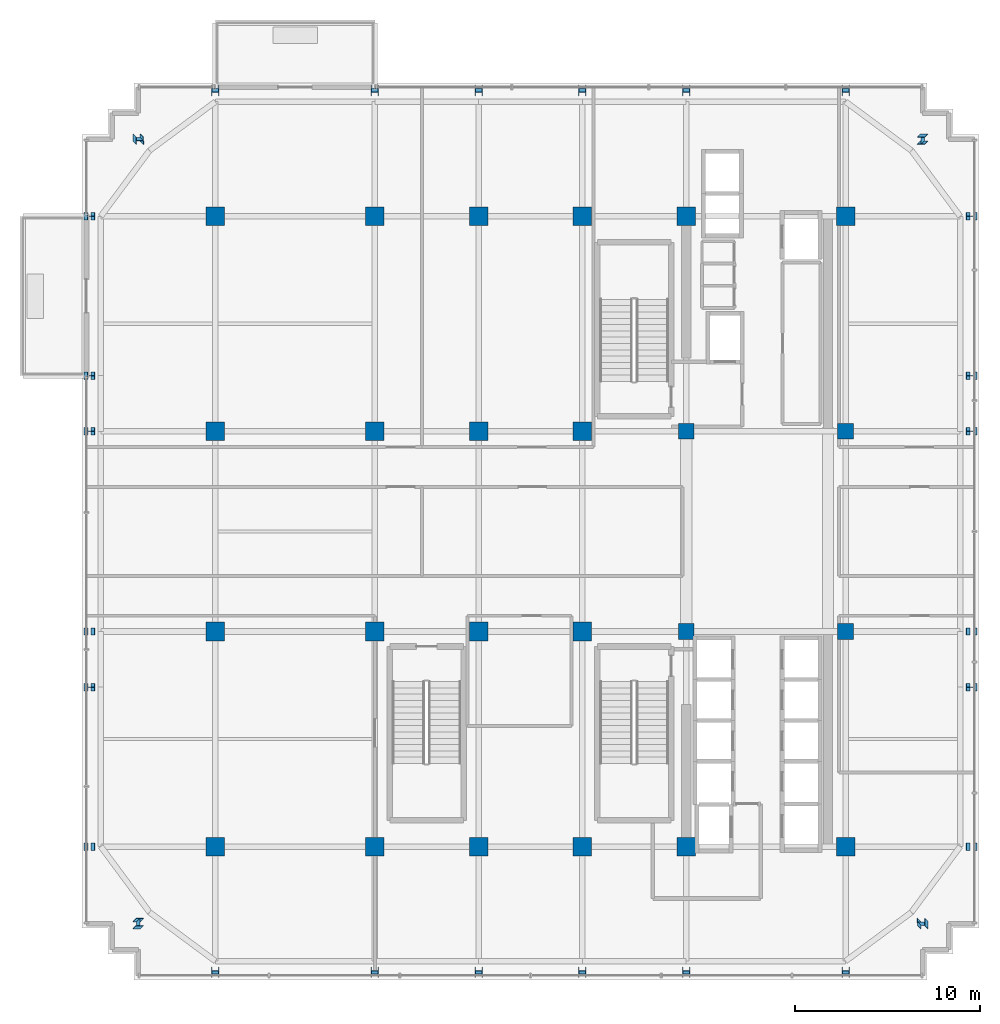
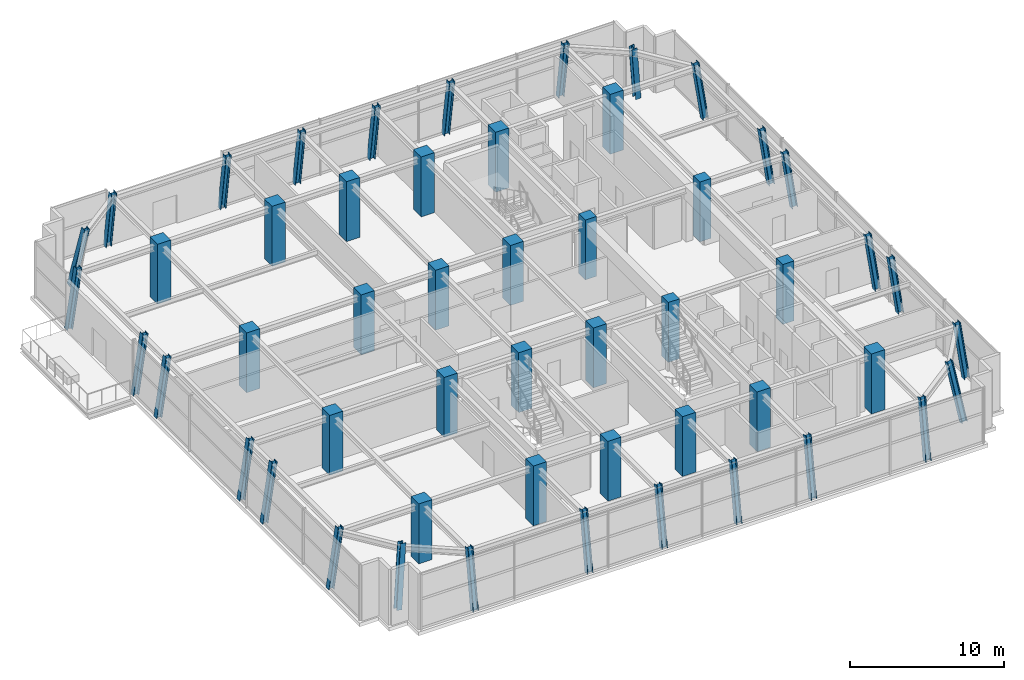
# One storey, part 1 of 28: 52 columns.
"""IFC4 building model written with IfcOpenShell, lengths in metres."""

from ifc_helpers import new_model, si_unit, direction, frame, origin, origin_2d, place, context, subcontext, project, spatial, rectangle, i_section, extrude, source, transform, mapped, material, material_profile, profile_set, type_object, element, save


model = new_model("IFC4")

# Units and contexts
model_context = context("Model", 3, precision=1e-05, world=origin(), true_north=direction((0.0, 1.0)))
body_context = subcontext(model_context, "Body", "Model", "MODEL_VIEW")
ifc_project = project(units=[si_unit("LENGTHUNIT", "METRE"), si_unit("AREAUNIT", "SQUARE_METRE"), si_unit("VOLUMEUNIT", "CUBIC_METRE"), si_unit("PLANEANGLEUNIT", "RADIAN"), si_unit("MASSUNIT", "GRAM", prefix="KILO")], contexts=[model_context])

# Site, building, storey
site_placement = place(None, origin())
site = spatial("IfcSite", under=ifc_project, at=site_placement, CompositionType="ELEMENT")
building_placement = place(site_placement, origin())
building = spatial("IfcBuilding", under=site, at=building_placement, Name="Nahalor Promenade Grand Hotel", CompositionType="ELEMENT")
storey_placement = place(building_placement, frame((0.0, 0.0, 256.699951171875)))
storey = spatial("IfcBuildingStorey", under=building, at=storey_placement, Name="L66", CompositionType="ELEMENT", Elevation=256.699951171875)

# Columns
ifc_material_1 = material(Name="Concrete B-70 (C60/75)", Category="concrete")
ifc_material_profile_1 = material_profile(ifc_material_1, rectangle(XDim=0.85, YDim=0.85, at=origin_2d()), Name="RC 850x850")
ifc_profile_set_1 = profile_set([ifc_material_profile_1], Name="Concrete B-70 (C60/75)")
column_type_1 = type_object("IfcColumnType", Name="Col-Pilaster-850", PredefinedType="PILASTER", material=ifc_profile_set_1)
shared_shape_1 = source(origin(), body_context, "Body", "SweptSolid", [
    extrude(rectangle(XDim=0.85, YDim=0.85, at=origin_2d()), origin(), (0.0, 0.0, 1.0), 4.755126953125),
])
for number, where, z_axis, x_axis, name in (
    (1, (8.39990234375, -5.39990234375, 0.0), (0.0, 0.0, 1.0), (1.0, 0.0, 0.0), "COL-L66-I41"),
    (2, (8.39990234375, 5.39990234375, 0.0), (0.0, 0.0, 1.0), (1.0, 0.0, 0.0), "COL-L66-I42"),
    (3, (17.0, -5.39990234375, 0.0), (0.0, 0.0, 1.0), (1.0, 0.0, 0.0), "COL-L66-I51"),
    (4, (17.0, 5.39990234375, 0.0), (0.0, 0.0, 1.0), (1.0, 0.0, 0.0), "COL-L66-I52"),
):
    element("IfcColumn", number, at=place(storey_placement, frame(where, z_axis=z_axis, x_axis=x_axis)), inside=storey, type_object=column_type_1, Name=name, PredefinedType="PILASTER", context=body_context, shape_type="MappedRepresentation", body=[
        mapped(shared_shape_1, transform((0.0, 0.0, 0.0), scale=1.0)),
    ])
ifc_material_2 = material(Name="Concrete B-60 (C50/60)", Category="concrete")
ifc_material_profile_2 = material_profile(ifc_material_2, rectangle(XDim=1.0, YDim=1.0, at=origin_2d()), Name="RC 1000x1000")
ifc_profile_set_2 = profile_set([ifc_material_profile_2], Name="Concrete B-60 (C50/60)")
column_type_2 = type_object("IfcColumnType", Name="Col-RC-1000", PredefinedType="COLUMN", material=ifc_profile_set_2)
shared_shape_2 = source(origin(), body_context, "Body", "SweptSolid", [
    extrude(rectangle(XDim=1.0, YDim=1.0, at=origin_2d()), origin(), (0.0, 0.0, 1.0), 4.755126953125),
])
for number, where, z_axis, x_axis, name in (
    (5, (-17.0, -17.0, 0.0), (0.0, 0.0, 1.0), (1.0, 0.0, 0.0), "COL-L66-I00"),
    (6, (-17.0, -5.39990234375, 0.0), (0.0, 0.0, 1.0), (1.0, 0.0, 0.0), "COL-L66-I01"),
    (7, (-17.0, 5.39990234375, 0.0), (0.0, 0.0, 1.0), (1.0, 0.0, 0.0), "COL-L66-I02"),
    (8, (-17.0, 17.0, 0.0), (0.0, 0.0, 1.0), (1.0, 0.0, 0.0), "COL-L66-I03"),
    (9, (-8.39990234375, -17.0, 0.0), (0.0, 0.0, 1.0), (1.0, 0.0, 0.0), "COL-L66-I10"),
    (10, (-8.39990234375, -5.39990234375, 0.0), (0.0, 0.0, 1.0), (1.0, 0.0, 0.0), "COL-L66-I11"),
    (11, (-8.39990234375, 5.39990234375, 0.0), (0.0, 0.0, 1.0), (1.0, 0.0, 0.0), "COL-L66-I12"),
    (12, (-8.39990234375, 17.0, 0.0), (0.0, 0.0, 1.0), (1.0, 0.0, 0.0), "COL-L66-I13"),
    (13, (-2.800048828125, -17.0, 0.0), (0.0, 0.0, 1.0), (1.0, 0.0, 0.0), "COL-L66-I20"),
    (14, (-2.800048828125, -5.39990234375, 0.0), (0.0, 0.0, 1.0), (1.0, 0.0, 0.0), "COL-L66-I21"),
    (15, (-2.800048828125, 5.39990234375, 0.0), (0.0, 0.0, 1.0), (1.0, 0.0, 0.0), "COL-L66-I22"),
    (16, (-2.800048828125, 17.0, 0.0), (0.0, 0.0, 1.0), (1.0, 0.0, 0.0), "COL-L66-I23"),
    (17, (2.800048828125, -17.0, 0.0), (0.0, 0.0, 1.0), (1.0, 0.0, 0.0), "COL-L66-I30"),
    (18, (2.800048828125, -5.39990234375, 0.0), (0.0, 0.0, 1.0), (1.0, 0.0, 0.0), "COL-L66-I31"),
    (19, (2.800048828125, 5.39990234375, 0.0), (0.0, 0.0, 1.0), (1.0, 0.0, 0.0), "COL-L66-I32"),
    (20, (2.800048828125, 17.0, 0.0), (0.0, 0.0, 1.0), (1.0, 0.0, 0.0), "COL-L66-I33"),
    (21, (8.39990234375, -17.0, 0.0), (0.0, 0.0, 1.0), (1.0, 0.0, 0.0), "COL-L66-I40"),
    (22, (8.39990234375, 17.0, 0.0), (0.0, 0.0, 1.0), (1.0, 0.0, 0.0), "COL-L66-I43"),
    (23, (17.0, -17.0, 0.0), (0.0, 0.0, 1.0), (1.0, 0.0, 0.0), "COL-L66-I50"),
    (24, (17.0, 17.0, 0.0), (0.0, 0.0, 1.0), (1.0, 0.0, 0.0), "COL-L66-I53"),
):
    element("IfcColumn", number, at=place(storey_placement, frame(where, z_axis=z_axis, x_axis=x_axis)), inside=storey, type_object=column_type_2, Name=name, PredefinedType="COLUMN", context=body_context, shape_type="MappedRepresentation", body=[
        mapped(shared_shape_2, transform((0.0, 0.0, 0.0), scale=1.0)),
    ])
ifc_material_3 = material(Name="Steel S355JR", Category="steel")
ifc_material_profile_3 = material_profile(ifc_material_3, i_section(OverallWidth=0.401, OverallDepth=0.406, WebThickness=0.0161, FlangeThickness=0.025, at=origin_2d()), Name="HD 400x314")
ifc_profile_set_3 = profile_set([ifc_material_profile_3], Name="Steel S355JR")
column_type_3 = type_object("IfcColumnType", Name="Col-Steel-HD314", PredefinedType="COLUMN", material=ifc_profile_set_3)
shared_shape_3 = source(origin(), body_context, "Body", "SweptSolid", [
    extrude(i_section(OverallWidth=0.401, OverallDepth=0.406, WebThickness=0.0161, FlangeThickness=0.025, at=origin_2d()), origin(), (0.0, 0.0, 1.0), 4.707275390625),
])
for number, where, z_axis, x_axis, name in (
    (25, (-23.8798828125, -17.0, 0.0), (0.148692963872, 0.0, 0.988883411983), (0.0, 1.0, 0.0), "COL-L66-PW-W0"),
    (26, (23.8798828125, -17.0, 0.0), (-0.148692963872, 0.0, 0.988883411983), (0.0, -1.0, 0.0), "COL-L66-PW-E0"),
    (27, (-23.8798828125, -8.39990234375, 0.0), (0.148692963872, 0.0, 0.988883411983), (0.0, 1.0, 0.0), "COL-L66-PW-W1"),
    (28, (23.8798828125, -8.39990234375, 0.0), (-0.148692963872, 0.0, 0.988883411983), (0.0, -1.0, 0.0), "COL-L66-PW-E1"),
    (29, (-23.8798828125, -5.39990234375, 0.0), (0.148692963872, 0.0, 0.988883411983), (0.0, 1.0, 0.0), "COL-L66-PW-W2"),
    (30, (23.8798828125, -5.39990234375, 0.0), (-0.148692963872, 0.0, 0.988883411983), (0.0, -1.0, 0.0), "COL-L66-PW-E2"),
    (31, (-23.8798828125, 5.39990234375, 0.0), (0.148692963872, 0.0, 0.988883411983), (0.0, 1.0, 0.0), "COL-L66-PW-W3"),
    (32, (23.8798828125, 5.39990234375, 0.0), (-0.148692963872, 0.0, 0.988883411983), (0.0, -1.0, 0.0), "COL-L66-PW-E3"),
    (33, (-23.8798828125, 8.39990234375, 0.0), (0.148692963872, 0.0, 0.988883411983), (0.0, 1.0, 0.0), "COL-L66-PW-W4"),
    (34, (23.8798828125, 8.39990234375, 0.0), (-0.148692963872, 0.0, 0.988883411983), (0.0, -1.0, 0.0), "COL-L66-PW-E4"),
    (35, (-23.8798828125, 17.0, 0.0), (0.148692963872, 0.0, 0.988883411983), (0.0, 1.0, 0.0), "COL-L66-PW-W5"),
    (36, (23.8798828125, 17.0, 0.0), (-0.148692963872, 0.0, 0.988883411983), (0.0, -1.0, 0.0), "COL-L66-PW-E5"),
    (37, (-17.0, -23.8798828125, 0.0), (0.0, 0.148692963872, 0.988883411983), (0.0, -0.988883411983, 0.148692963872), "COL-L66-PN-S0"),
    (38, (-17.0, 23.8798828125, 0.0), (0.0, -0.148692963872, 0.988883411983), (0.0, 0.988883411983, 0.148692963872), "COL-L66-PN-N0"),
    (39, (-8.39990234375, -23.8798828125, 0.0), (0.0, 0.148692963872, 0.988883411983), (0.0, -0.988883411983, 0.148692963872), "COL-L66-PN-S1"),
    (40, (-8.39990234375, 23.8798828125, 0.0), (0.0, -0.148692963872, 0.988883411983), (0.0, 0.988883411983, 0.148692963872), "COL-L66-PN-N1"),
    (41, (-2.800048828125, -23.8798828125, 0.0), (0.0, 0.148692963872, 0.988883411983), (0.0, -0.988883411983, 0.148692963872), "COL-L66-PN-S2"),
    (42, (-2.800048828125, 23.8798828125, 0.0), (0.0, -0.148692963872, 0.988883411983), (0.0, 0.988883411983, 0.148692963872), "COL-L66-PN-N2"),
    (43, (2.800048828125, -23.8798828125, 0.0), (0.0, 0.148692963872, 0.988883411983), (0.0, -0.988883411983, 0.148692963872), "COL-L66-PN-S3"),
    (44, (2.800048828125, 23.8798828125, 0.0), (0.0, -0.148692963872, 0.988883411983), (0.0, 0.988883411983, 0.148692963872), "COL-L66-PN-N3"),
    (45, (8.39990234375, -23.8798828125, 0.0), (0.0, 0.148692963872, 0.988883411983), (0.0, -0.988883411983, 0.148692963872), "COL-L66-PN-S4"),
    (46, (8.39990234375, 23.8798828125, 0.0), (0.0, -0.148692963872, 0.988883411983), (0.0, 0.988883411983, 0.148692963872), "COL-L66-PN-N4"),
    (47, (17.0, -23.8798828125, 0.0), (0.0, 0.148692963872, 0.988883411983), (0.0, -0.988883411983, 0.148692963872), "COL-L66-PN-S5"),
    (48, (17.0, 23.8798828125, 0.0), (0.0, -0.148692963872, 0.988883411983), (0.0, 0.988883411983, 0.148692963872), "COL-L66-PN-N5"),
):
    element("IfcColumn", number, at=place(storey_placement, frame(where, z_axis=z_axis, x_axis=x_axis)), inside=storey, type_object=column_type_3, Name=name, PredefinedType="COLUMN", context=body_context, shape_type="MappedRepresentation", body=[
        mapped(shared_shape_3, transform((0.0, 0.0, 0.0), scale=1.0)),
    ])
shared_shape_4 = source(origin(), body_context, "Body", "SweptSolid", [
    extrude(i_section(OverallWidth=0.401, OverallDepth=0.406, WebThickness=0.0161, FlangeThickness=0.025, at=origin_2d()), origin(), (0.0, 0.0, 1.0), 4.759033203125),
])
for number, where, z_axis, x_axis, name in (
    (49, (-21.25, -21.25, 0.0), (0.147075957733, 0.147075957733, 0.978129503345), (-0.989064751673, 0.010935248327, 0.147075957733), "COL-L66-CRN-SW"),
    (50, (-21.25, 21.25, 0.0), (0.147075957733, -0.147075957733, 0.978129503345), (0.010935248327, 0.989064751673, 0.147075957733), "COL-L66-CRN-NW"),
    (51, (21.25, -21.25, 0.0), (-0.147075957733, 0.147075957733, 0.978129503345), (-0.010935248327, -0.989064751673, 0.147075957733), "COL-L66-CRN-SE"),
    (52, (21.25, 21.25, 0.0), (-0.147075957733, -0.147075957733, 0.978129503345), (0.989064751673, -0.010935248327, 0.147075957733), "COL-L66-CRN-NE"),
):
    element("IfcColumn", number, at=place(storey_placement, frame(where, z_axis=z_axis, x_axis=x_axis)), inside=storey, type_object=column_type_3, Name=name, PredefinedType="COLUMN", context=body_context, shape_type="MappedRepresentation", body=[
        mapped(shared_shape_4, transform((0.0, 0.0, 0.0), scale=1.0)),
    ])

save(model, "model.ifc")
